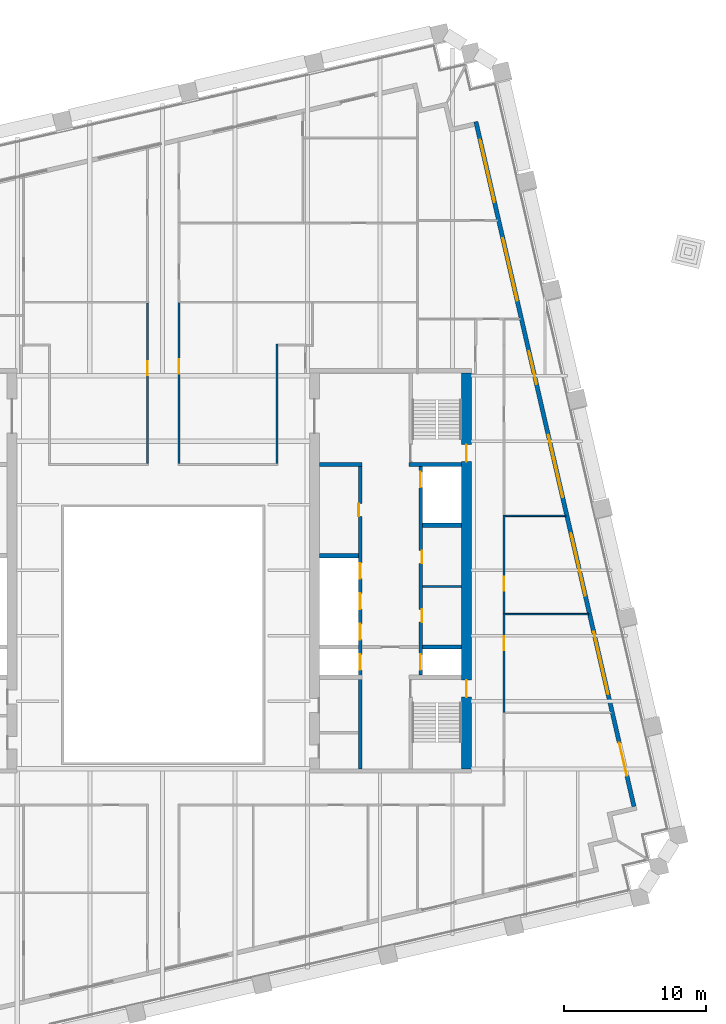
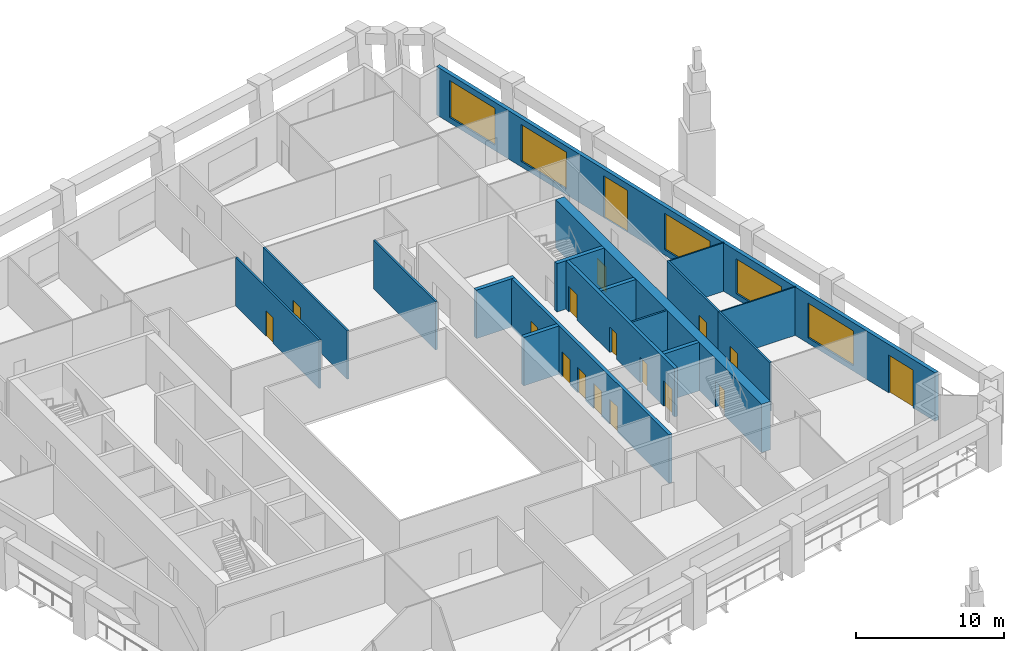
# One storey, part 7 of 10: 17 doors, 17 walls, 5 windows, 22 openings.
"""IFC4 building model written with IfcOpenShell, lengths in metres."""

from ifc_helpers import new_model, si_unit, direction, frame, frame_2d, origin, place, context, subcontext, project, spatial, rectangle, extrude, material, layer, layer_set, type_object, element, fill, save


model = new_model("IFC4")

# Units and contexts
model_context = context("Model", 3, precision=1e-05, world=origin(), true_north=direction((0.0, 1.0)))
body_context = subcontext(model_context, "Body", "Model", "MODEL_VIEW")
ifc_project = project(units=[si_unit("LENGTHUNIT", "METRE"), si_unit("AREAUNIT", "SQUARE_METRE"), si_unit("VOLUMEUNIT", "CUBIC_METRE"), si_unit("PLANEANGLEUNIT", "RADIAN"), si_unit("MASSUNIT", "GRAM", prefix="KILO")], contexts=[model_context])

# Site, building, storey
site_placement = place(None, origin())
site = spatial("IfcSite", under=ifc_project, at=site_placement, CompositionType="ELEMENT")
building_placement = place(site_placement, origin())
building = spatial("IfcBuilding", under=site, at=building_placement, Name="Ogive Exchange Tower", CompositionType="ELEMENT")
storey_placement = place(building_placement, frame((0.0, 0.0, 171.60009765625)))
storey = spatial("IfcBuildingStorey", under=building, at=storey_placement, Name="L37", CompositionType="ELEMENT", Elevation=171.60009765625)

# Walls
ifc_material_1 = material(Name="Gypsum board partition")
ifc_layer_1 = layer(ifc_material_1, 0.14990234375)
ifc_layer_set_1 = layer_set([ifc_layer_1], Name="Core room partition 150 gypsum")
wall_type_1 = type_object("IfcWallType", Name="Core room partition 150 gypsum", PredefinedType="PARTITIONING", material=ifc_layer_set_1)
wall_1_placement = place(storey_placement, frame((18.25, 10.39990234375, 0.0), z_axis=(0.0, 0.0, 1.0), x_axis=(1.0, 0.0, 0.0)))
element("IfcWall", 1, at=wall_1_placement, inside=storey, type_object=wall_type_1, Name="E row A bay partition 1-1", PredefinedType="PARTITIONING", context=body_context, shape_type="SweptSolid", body=[
    extrude(rectangle(XDim=2.75, YDim=0.14990234375, at=frame_2d((1.375, 0.0))), origin(), (0.0, 0.0, 1.0), 4.0),
])
ifc_layer_2 = layer(ifc_material_1, 0.300048828125)
ifc_layer_set_2 = layer_set([ifc_layer_2], Name="Core room partition 300 gypsum")
wall_type_2 = type_object("IfcWallType", Name="Core room partition 300 gypsum", PredefinedType="PARTITIONING", material=ifc_layer_set_2)
wall_2_placement = place(storey_placement, frame((11.0, 19.0, 0.0), z_axis=(0.0, 0.0, 1.0), x_axis=(1.0, 0.0, 0.0)))
element("IfcWall", 2, at=wall_2_placement, inside=storey, type_object=wall_type_2, Name="E row B room end wall 7", PredefinedType="PARTITIONING", context=body_context, shape_type="SweptSolid", body=[
    extrude(rectangle(XDim=3.0, YDim=0.300048828125, at=frame_2d((1.5, 0.0))), origin(), (0.0, 0.0, 1.0), 4.0),
])

# Wall, opening, door
ifc_material_2 = material(Name="Fire partition EI 60 150")
ifc_layer_3 = layer(ifc_material_2, 0.14990234375)
ifc_layer_set_3 = layer_set([ifc_layer_3], Name="Fire partition EI 60 150")
wall_type_3 = type_object("IfcWallType", Name="Fire partition EI 60 150", PredefinedType="PARTITIONING", material=ifc_layer_set_3)
wall_3_placement = place(storey_placement, frame((-1.10009765625, 19.074951171875, 0.0), z_axis=(0.0, 0.0, 1.0), x_axis=(0.0, 1.0, 0.0)))
wall_3 = element("IfcWall", 3, at=wall_3_placement, inside=storey, type_object=wall_type_3, Name="L37-PWL-034", PredefinedType="PARTITIONING", context=body_context, shape_type="SweptSolid", body=[
    extrude(rectangle(XDim=11.295166015625, YDim=0.14990234375, at=frame_2d((5.6474609375, 0.0))), origin(), (0.0, 0.0, 1.0), 4.0),
])
opening_1_placement = place(wall_3_placement, frame((6.195068359375, 0.0, 0.0)))
opening_1 = element("IfcOpeningElement", 4, at=opening_1_placement, cuts=wall_3, Name="Opening L37-I03", PredefinedType="OPENING", context=body_context, shape_type="SweptSolid", body=[
    extrude(rectangle(XDim=1.0, YDim=2.10009765625, at=frame_2d((0.5, 1.050048828125))), frame((0.0, 0.0849609375, 0.0), z_axis=(0.0, -1.0, 0.0), x_axis=(1.0, 0.0, 0.0)), (0.0, 0.0, 1.0), 0.169921875),
])
ifc_material_3 = material(Name="Fire door FD 30S 1000 x 2100")
door_type_1 = type_object("IfcDoorType", Name="Fire door FD 30S 1000 x 2100", OperationType="NOTDEFINED", PredefinedType="DOOR", material=ifc_material_3)
door_1_placement = place(opening_1_placement, origin())
door_1 = element("IfcDoor", 5, at=door_1_placement, inside=storey, type_object=door_type_1, Name="L37-IDR-003", ObjectType="DT3", OperationType="SINGLE_SWING_LEFT", OverallHeight=2.10009765625, OverallWidth=1.0, PredefinedType="DOOR", context=body_context, shape_type="SweptSolid", body=[
    extrude(rectangle(XDim=1.0, YDim=2.10009765625, at=frame_2d((0.5, 1.050048828125))), frame((0.0, 0.02490234375, 0.0), z_axis=(0.0, -1.0, 0.0), x_axis=(1.0, 0.0, 0.0)), (0.0, 0.0, 1.0), 0.050048828125),
])
fill(opening_1, door_1)

wall_4_placement = place(storey_placement, frame((1.10009765625, 30.469970703125, 0.0), z_axis=(0.0, 0.0, 1.0), x_axis=(0.0, -1.0, 0.0)))
wall_4 = element("IfcWall", 6, at=wall_4_placement, inside=storey, type_object=wall_type_3, Name="L37-PWL-038", PredefinedType="PARTITIONING", context=body_context, shape_type="SweptSolid", body=[
    extrude(rectangle(XDim=11.39501953125, YDim=0.14990234375, at=frame_2d((5.697509765625, 0.0))), origin(), (0.0, 0.0, 1.0), 4.0),
])
opening_2_placement = place(wall_4_placement, frame((4.070068359375, 0.0, 0.0)))
opening_2 = element("IfcOpeningElement", 7, at=opening_2_placement, cuts=wall_4, Name="Opening L37-I25", PredefinedType="OPENING", context=body_context, shape_type="SweptSolid", body=[
    extrude(rectangle(XDim=1.0, YDim=2.10009765625, at=frame_2d((0.5, 1.050048828125))), frame((0.0, 0.0849609375, 0.0), z_axis=(0.0, -1.0, 0.0), x_axis=(1.0, 0.0, 0.0)), (0.0, 0.0, 1.0), 0.169921875),
])
door_2_placement = place(opening_2_placement, origin())
door_2 = element("IfcDoor", 8, at=door_2_placement, inside=storey, type_object=door_type_1, Name="L37-IDR-025", ObjectType="DT3", OperationType="SINGLE_SWING_RIGHT", OverallHeight=2.10009765625, OverallWidth=1.0, PredefinedType="DOOR", context=body_context, shape_type="SweptSolid", body=[
    extrude(rectangle(XDim=1.0, YDim=2.10009765625, at=frame_2d((0.5, 1.050048828125))), frame((0.0, 0.02490234375, 0.0), z_axis=(0.0, -1.0, 0.0), x_axis=(1.0, 0.0, 0.0)), (0.0, 0.0, 1.0), 0.050048828125),
])
fill(opening_2, door_2)

# Wall
wall_5_placement = place(storey_placement, frame((8.0, 19.074951171875, 0.0), z_axis=(0.0, 0.0, 1.0), x_axis=(0.0, 1.0, 0.0)))
element("IfcWall", 9, at=wall_5_placement, inside=storey, type_object=wall_type_3, Name="L37-PWL-045", PredefinedType="PARTITIONING", context=body_context, shape_type="SweptSolid", body=[
    extrude(rectangle(XDim=8.400146484375, YDim=0.14990234375, at=frame_2d((4.2001953125, 0.0))), origin(), (0.0, 0.0, 1.0), 4.0),
])

# Wall, opening, door
wall_6_placement = place(storey_placement, frame((24.0, 8.5, 0.0), z_axis=(0.0, 0.0, 1.0), x_axis=(0.0, -1.0, 0.0)))
wall_6 = element("IfcWall", 10, at=wall_6_placement, inside=storey, type_object=wall_type_3, Name="L37-PWL-077", PredefinedType="PARTITIONING", context=body_context, shape_type="SweptSolid", body=[
    extrude(rectangle(XDim=6.989990234375, YDim=0.14990234375, at=frame_2d((3.4951171875, 0.0))), origin(), (0.0, 0.0, 1.0), 4.0),
])
opening_3_placement = place(wall_6_placement, frame((1.590087890625, 0.0, 0.0)))
opening_3 = element("IfcOpeningElement", 11, at=opening_3_placement, cuts=wall_6, Name="Opening L37-I20", PredefinedType="OPENING", context=body_context, shape_type="SweptSolid", body=[
    extrude(rectangle(XDim=1.0, YDim=2.10009765625, at=frame_2d((0.5, 1.050048828125))), frame((0.0, 0.0849609375, 0.0), z_axis=(0.0, -1.0, 0.0), x_axis=(1.0, 0.0, 0.0)), (0.0, 0.0, 1.0), 0.169921875),
])
door_3_placement = place(opening_3_placement, origin())
door_3 = element("IfcDoor", 12, at=door_3_placement, inside=storey, type_object=door_type_1, Name="L37-IDR-020", ObjectType="DT3", OperationType="SINGLE_SWING_RIGHT", OverallHeight=2.10009765625, OverallWidth=1.0, PredefinedType="DOOR", context=body_context, shape_type="SweptSolid", body=[
    extrude(rectangle(XDim=1.0, YDim=2.10009765625, at=frame_2d((0.5, 1.050048828125))), frame((0.0, 0.02490234375, 0.0), z_axis=(0.0, -1.0, 0.0), x_axis=(1.0, 0.0, 0.0)), (0.0, 0.0, 1.0), 0.050048828125),
])
fill(opening_3, door_3)

wall_7_placement = place(storey_placement, frame((24.0, 15.429931640625, 0.0), z_axis=(0.0, 0.0, 1.0), x_axis=(0.0, -1.0, 0.0)))
wall_7 = element("IfcWall", 13, at=wall_7_placement, inside=storey, type_object=wall_type_3, Name="L37-PWL-079", PredefinedType="PARTITIONING", context=body_context, shape_type="SweptSolid", body=[
    extrude(rectangle(XDim=6.929931640625, YDim=0.14990234375, at=frame_2d((3.46484375, 0.0))), origin(), (0.0, 0.0, 1.0), 4.0),
])
opening_4_placement = place(wall_7_placement, frame((4.330078125, 0.0, 0.0)))
opening_4 = element("IfcOpeningElement", 14, at=opening_4_placement, cuts=wall_7, Name="Opening L37-I21", PredefinedType="OPENING", context=body_context, shape_type="SweptSolid", body=[
    extrude(rectangle(XDim=1.0, YDim=2.10009765625, at=frame_2d((0.5, 1.050048828125))), frame((0.0, 0.0849609375, 0.0), z_axis=(0.0, -1.0, 0.0), x_axis=(1.0, 0.0, 0.0)), (0.0, 0.0, 1.0), 0.169921875),
])
door_4_placement = place(opening_4_placement, origin())
door_4 = element("IfcDoor", 15, at=door_4_placement, inside=storey, type_object=door_type_1, Name="L37-IDR-021", ObjectType="DT3", OperationType="SINGLE_SWING_LEFT", OverallHeight=2.10009765625, OverallWidth=1.0, PredefinedType="DOOR", context=body_context, shape_type="SweptSolid", body=[
    extrude(rectangle(XDim=1.0, YDim=2.10009765625, at=frame_2d((0.5, 1.050048828125))), frame((0.0, 0.02490234375, 0.0), z_axis=(0.0, -1.0, 0.0), x_axis=(1.0, 0.0, 0.0)), (0.0, 0.0, 1.0), 0.050048828125),
])
fill(opening_4, door_4)

# Wall, openings, doors, windows
ifc_material_4 = material(Name="Precast concrete C40/50", Category="concrete")
ifc_layer_4 = layer(ifc_material_4, 0.300048828125)
ifc_layer_set_4 = layer_set([ifc_layer_4], Name="Limestone-faced wall 300")
wall_type_4 = type_object("IfcWallType", Name="Limestone-faced wall 300", PredefinedType="STANDARD", material=ifc_layer_set_4)
wall_8_placement = place(storey_placement, frame((33.1572265625, -5.092041015625, 0.0), z_axis=(0.0, 0.0, 1.0), x_axis=(-0.224950279389, 0.974370243697, 0.0)))
wall_8 = element("IfcWall", 16, at=wall_8_placement, inside=storey, type_object=wall_type_4, Name="External wall E2", PredefinedType="STANDARD", context=body_context, shape_type="SweptSolid", body=[
    extrude(rectangle(XDim=49.499755859375, YDim=0.300048828125, at=frame_2d((24.75, 0.0))), origin(), (0.0, 0.0, 1.0), 4.0),
])
opening_5_placement = place(wall_8_placement, frame((2.20703125, 0.0, 0.0)))
opening_5 = element("IfcOpeningElement", 17, at=opening_5_placement, cuts=wall_8, Name="Opening D1J", PredefinedType="OPENING", context=body_context, shape_type="SweptSolid", body=[
    extrude(rectangle(XDim=2.39990234375, YDim=3.125, at=frame_2d((1.199951171875, 1.5625))), frame((0.0, 0.159912109375, 0.0), z_axis=(0.0, -1.0, 0.0), x_axis=(1.0, 0.0, 0.0)), (0.0, 0.0, 1.0), 0.320068359375),
])
opening_6_placement = place(wall_8_placement, frame((8.121337890625, 0.0, 0.449951171875)))
opening_6 = element("IfcOpeningElement", 18, at=opening_6_placement, cuts=wall_8, Name="Opening W1D", PredefinedType="OPENING", context=body_context, shape_type="SweptSolid", body=[
    extrude(rectangle(XDim=4.5, YDim=2.875, at=frame_2d((2.25, 1.4375))), frame((0.0, 0.159912109375, 0.0), z_axis=(0.0, -1.0, 0.0), x_axis=(1.0, 0.0, 0.0)), (0.0, 0.0, 1.0), 0.320068359375),
])
opening_7_placement = place(wall_8_placement, frame((15.235595703125, 0.0, 0.449951171875)))
opening_7 = element("IfcOpeningElement", 19, at=opening_7_placement, cuts=wall_8, Name="Opening W1D", PredefinedType="OPENING", context=body_context, shape_type="SweptSolid", body=[
    extrude(rectangle(XDim=4.5, YDim=2.875, at=frame_2d((2.25, 1.4375))), frame((0.0, 0.159912109375, 0.0), z_axis=(0.0, -1.0, 0.0), x_axis=(1.0, 0.0, 0.0)), (0.0, 0.0, 1.0), 0.320068359375),
])
opening_8_placement = place(wall_8_placement, frame((22.35009765625, 0.0, 0.449951171875)))
opening_8 = element("IfcOpeningElement", 20, at=opening_8_placement, cuts=wall_8, Name="Opening W1A", PredefinedType="OPENING", context=body_context, shape_type="SweptSolid", body=[
    extrude(rectangle(XDim=4.5, YDim=3.0, at=frame_2d((2.25, 1.5))), frame((0.0, 0.159912109375, 0.0), z_axis=(0.0, -1.0, 0.0), x_axis=(1.0, 0.0, 0.0)), (0.0, 0.0, 1.0), 0.320068359375),
])
opening_9_placement = place(wall_8_placement, frame((30.51416015625, 0.0, 0.0)))
opening_9 = element("IfcOpeningElement", 21, at=opening_9_placement, cuts=wall_8, Name="Opening D1A", PredefinedType="OPENING", context=body_context, shape_type="SweptSolid", body=[
    extrude(rectangle(XDim=2.39990234375, YDim=3.449951171875, at=frame_2d((1.199951171875, 1.72509765625))), frame((0.0, 0.159912109375, 0.0), z_axis=(0.0, -1.0, 0.0), x_axis=(1.0, 0.0, 0.0)), (0.0, 0.0, 1.0), 0.320068359375),
])
opening_10_placement = place(wall_8_placement, frame((36.57861328125, 0.0, 0.449951171875)))
opening_10 = element("IfcOpeningElement", 22, at=opening_10_placement, cuts=wall_8, Name="Opening W1", PredefinedType="OPENING", context=body_context, shape_type="SweptSolid", body=[
    extrude(rectangle(XDim=4.5, YDim=3.050048828125, at=frame_2d((2.25, 1.52490234375))), frame((0.0, 0.159912109375, 0.0), z_axis=(0.0, -1.0, 0.0), x_axis=(1.0, 0.0, 0.0)), (0.0, 0.0, 1.0), 0.320068359375),
])
opening_11_placement = place(wall_8_placement, frame((43.69287109375, 0.0, 0.449951171875)))
opening_11 = element("IfcOpeningElement", 23, at=opening_11_placement, cuts=wall_8, Name="Opening W1", PredefinedType="OPENING", context=body_context, shape_type="SweptSolid", body=[
    extrude(rectangle(XDim=4.5, YDim=3.050048828125, at=frame_2d((2.25, 1.52490234375))), frame((0.0, 0.159912109375, 0.0), z_axis=(0.0, -1.0, 0.0), x_axis=(1.0, 0.0, 0.0)), (0.0, 0.0, 1.0), 0.320068359375),
])
ifc_material_5 = material(Name="Clear glass in bronze frame", Category="glass")
door_type_2 = type_object("IfcDoorType", Name="Sliding loggia door 2400 x 3125", OperationType="DOUBLE_DOOR_SLIDING", PredefinedType="DOOR", material=ifc_material_5)
door_5_placement = place(opening_5_placement, origin())
door_5 = element("IfcDoor", 24, at=door_5_placement, inside=storey, type_object=door_type_2, Name="Loggia door E00", OperationType="DOUBLE_DOOR_SLIDING", OverallHeight=3.125, OverallWidth=2.39990234375, PredefinedType="DOOR", context=body_context, shape_type="SweptSolid", body=[
    extrude(rectangle(XDim=2.39990234375, YDim=3.125, at=frame_2d((1.199951171875, 1.5625))), frame((0.0, 0.02490234375, 0.0), z_axis=(0.0, -1.0, 0.0), x_axis=(1.0, 0.0, 0.0)), (0.0, 0.0, 1.0), 0.050048828125),
])
fill(opening_5, door_5)
door_type_3 = type_object("IfcDoorType", Name="Sliding loggia door 2400 x 3450", OperationType="DOUBLE_DOOR_SLIDING", PredefinedType="DOOR", material=ifc_material_5)
door_6_placement = place(opening_9_placement, origin())
door_6 = element("IfcDoor", 25, at=door_6_placement, inside=storey, type_object=door_type_3, Name="Loggia door E04", OperationType="DOUBLE_DOOR_SLIDING", OverallHeight=3.449951171875, OverallWidth=2.39990234375, PredefinedType="DOOR", context=body_context, shape_type="SweptSolid", body=[
    extrude(rectangle(XDim=2.39990234375, YDim=3.449951171875, at=frame_2d((1.199951171875, 1.72509765625))), frame((0.0, 0.02490234375, 0.0), z_axis=(0.0, -1.0, 0.0), x_axis=(1.0, 0.0, 0.0)), (0.0, 0.0, 1.0), 0.050048828125),
])
fill(opening_9, door_6)
window_type_1 = type_object("IfcWindowType", Name="Twin lancet window 4500 x 2875", PartitioningType="DOUBLE_PANEL_VERTICAL", PredefinedType="WINDOW", material=ifc_material_5)
window_1_placement = place(opening_6_placement, origin())
window_1 = element("IfcWindow", 26, at=window_1_placement, inside=storey, type_object=window_type_1, Name="Window E01", OverallHeight=2.875, OverallWidth=4.5, PartitioningType="DOUBLE_PANEL_VERTICAL", PredefinedType="WINDOW", context=body_context, shape_type="SweptSolid", body=[
    extrude(rectangle(XDim=4.5, YDim=2.875, at=frame_2d((2.25, 1.4375))), frame((0.0, 0.030029296875, 0.0), z_axis=(0.0, -1.0, 0.0), x_axis=(1.0, 0.0, 0.0)), (0.0, 0.0, 1.0), 0.06005859375),
])
fill(opening_6, window_1)
window_2_placement = place(opening_7_placement, origin())
window_2 = element("IfcWindow", 27, at=window_2_placement, inside=storey, type_object=window_type_1, Name="Window E02", OverallHeight=2.875, OverallWidth=4.5, PartitioningType="DOUBLE_PANEL_VERTICAL", PredefinedType="WINDOW", context=body_context, shape_type="SweptSolid", body=[
    extrude(rectangle(XDim=4.5, YDim=2.875, at=frame_2d((2.25, 1.4375))), frame((0.0, 0.030029296875, 0.0), z_axis=(0.0, -1.0, 0.0), x_axis=(1.0, 0.0, 0.0)), (0.0, 0.0, 1.0), 0.06005859375),
])
fill(opening_7, window_2)
window_type_2 = type_object("IfcWindowType", Name="Twin lancet window 4500 x 3000", PartitioningType="DOUBLE_PANEL_VERTICAL", PredefinedType="WINDOW", material=ifc_material_5)
window_3_placement = place(opening_8_placement, origin())
window_3 = element("IfcWindow", 28, at=window_3_placement, inside=storey, type_object=window_type_2, Name="Window E03", OverallHeight=3.0, OverallWidth=4.5, PartitioningType="DOUBLE_PANEL_VERTICAL", PredefinedType="WINDOW", context=body_context, shape_type="SweptSolid", body=[
    extrude(rectangle(XDim=4.5, YDim=3.0, at=frame_2d((2.25, 1.5))), frame((0.0, 0.030029296875, 0.0), z_axis=(0.0, -1.0, 0.0), x_axis=(1.0, 0.0, 0.0)), (0.0, 0.0, 1.0), 0.06005859375),
])
fill(opening_8, window_3)
window_type_3 = type_object("IfcWindowType", Name="Twin lancet window 4500 x 3050", PartitioningType="DOUBLE_PANEL_VERTICAL", PredefinedType="WINDOW", material=ifc_material_5)
window_4_placement = place(opening_10_placement, origin())
window_4 = element("IfcWindow", 29, at=window_4_placement, inside=storey, type_object=window_type_3, Name="Window E05", OverallHeight=3.050048828125, OverallWidth=4.5, PartitioningType="DOUBLE_PANEL_VERTICAL", PredefinedType="WINDOW", context=body_context, shape_type="SweptSolid", body=[
    extrude(rectangle(XDim=4.5, YDim=3.050048828125, at=frame_2d((2.25, 1.52490234375))), frame((0.0, 0.030029296875, 0.0), z_axis=(0.0, -1.0, 0.0), x_axis=(1.0, 0.0, 0.0)), (0.0, 0.0, 1.0), 0.06005859375),
])
fill(opening_10, window_4)
window_5_placement = place(opening_11_placement, origin())
window_5 = element("IfcWindow", 30, at=window_5_placement, inside=storey, type_object=window_type_3, Name="Window E06", OverallHeight=3.050048828125, OverallWidth=4.5, PartitioningType="DOUBLE_PANEL_VERTICAL", PredefinedType="WINDOW", context=body_context, shape_type="SweptSolid", body=[
    extrude(rectangle(XDim=4.5, YDim=3.050048828125, at=frame_2d((2.25, 1.52490234375))), frame((0.0, 0.030029296875, 0.0), z_axis=(0.0, -1.0, 0.0), x_axis=(1.0, 0.0, 0.0)), (0.0, 0.0, 1.0), 0.06005859375),
])
fill(opening_11, window_5)

# Walls
ifc_material_6 = material(Name="Partition 100 gypsum")
ifc_layer_5 = layer(ifc_material_6, 0.10009765625)
ifc_layer_set_5 = layer_set([ifc_layer_5], Name="Partition 100 gypsum")
wall_type_5 = type_object("IfcWallType", Name="Partition 100 gypsum", PredefinedType="PARTITIONING", material=ifc_layer_set_5)
wall_9_placement = place(storey_placement, frame((24.074951171875, 8.449951171875, 0.0), z_axis=(0.0, 0.0, 1.0), x_axis=(1.0, 0.0, 0.0)))
element("IfcWall", 31, at=wall_9_placement, inside=storey, type_object=wall_type_5, Name="L37-PWL-078", PredefinedType="PARTITIONING", context=body_context, shape_type="SweptSolid", body=[
    extrude(rectangle(XDim=5.884033203125, YDim=0.10009765625, at=frame_2d((2.94189453125, 0.0))), origin(), (0.0, 0.0, 1.0), 4.0),
])
wall_10_placement = place(storey_placement, frame((24.074951171875, 15.3798828125, 0.0), z_axis=(0.0, 0.0, 1.0), x_axis=(1.0, 0.0, 0.0)))
element("IfcWall", 32, at=wall_10_placement, inside=storey, type_object=wall_type_5, Name="L37-PWL-080", PredefinedType="PARTITIONING", context=body_context, shape_type="SweptSolid", body=[
    extrude(rectangle(XDim=4.28515625, YDim=0.10009765625, at=frame_2d((2.142578125, 0.0))), origin(), (0.0, 0.0, 1.0), 4.0),
])

# Wall, openings, doors
ifc_material_7 = material(Name="Concrete C70/85", Category="concrete")
ifc_layer_6 = layer(ifc_material_7, 0.25)
ifc_layer_set_6 = layer_set([ifc_layer_6], Name="RC core wall 250 C70/85")
wall_type_6 = type_object("IfcWallType", Name="RC core wall 250 C70/85", PredefinedType="SHEAR", material=ifc_layer_set_6)
wall_11_placement = place(storey_placement, frame((18.125, 4.14990234375, 0.0), z_axis=(0.0, 0.0, 1.0), x_axis=(0.0, 1.0, 0.0)))
wall_11 = element("IfcWall", 33, at=wall_11_placement, inside=storey, type_object=wall_type_6, Name="E row A front wall", PredefinedType="SHEAR", context=body_context, shape_type="SweptSolid", body=[
    extrude(rectangle(XDim=14.7001953125, YDim=0.25, at=frame_2d((7.35009765625, 0.0))), origin(), (0.0, 0.0, 1.0), 4.0),
])
opening_12_placement = place(wall_11_placement, frame((3.746337890625, 0.0, 0.0)))
opening_12 = element("IfcOpeningElement", 34, at=opening_12_placement, cuts=wall_11, Name="Opening L37-C19", PredefinedType="OPENING", context=body_context, shape_type="SweptSolid", body=[
    extrude(rectangle(XDim=0.89990234375, YDim=2.10009765625, at=frame_2d((0.449951171875, 1.050048828125))), frame((0.0, 0.135009765625, 0.0), z_axis=(0.0, -1.0, 0.0), x_axis=(1.0, 0.0, 0.0)), (0.0, 0.0, 1.0), 0.27001953125),
])
opening_13_placement = place(wall_11_placement, frame((7.882080078125, 0.0, 0.0)))
opening_13 = element("IfcOpeningElement", 35, at=opening_13_placement, cuts=wall_11, Name="Opening L37-C20", PredefinedType="OPENING", context=body_context, shape_type="SweptSolid", body=[
    extrude(rectangle(XDim=0.89990234375, YDim=2.10009765625, at=frame_2d((0.449951171875, 1.050048828125))), frame((0.0, 0.135009765625, 0.0), z_axis=(0.0, -1.0, 0.0), x_axis=(1.0, 0.0, 0.0)), (0.0, 0.0, 1.0), 0.27001953125),
])
opening_14_placement = place(wall_11_placement, frame((0.371337890625, 0.0, 0.0)))
opening_14 = element("IfcOpeningElement", 36, at=opening_14_placement, cuts=wall_11, Name="Opening L37-C21", PredefinedType="OPENING", context=body_context, shape_type="SweptSolid", body=[
    extrude(rectangle(XDim=1.10009765625, YDim=2.10009765625, at=frame_2d((0.550048828125, 1.050048828125))), frame((0.0, 0.135009765625, 0.0), z_axis=(0.0, -1.0, 0.0), x_axis=(1.0, 0.0, 0.0)), (0.0, 0.0, 1.0), 0.27001953125),
])
opening_15_placement = place(wall_11_placement, frame((13.228515625, 0.0, 0.0)))
opening_15 = element("IfcOpeningElement", 37, at=opening_15_placement, cuts=wall_11, Name="Opening L37-C22", PredefinedType="OPENING", context=body_context, shape_type="SweptSolid", body=[
    extrude(rectangle(XDim=1.10009765625, YDim=2.10009765625, at=frame_2d((0.550048828125, 1.050048828125))), frame((0.0, 0.135009765625, 0.0), z_axis=(0.0, -1.0, 0.0), x_axis=(1.0, 0.0, 0.0)), (0.0, 0.0, 1.0), 0.27001953125),
])
ifc_material_8 = material(Name="Stainless steel", Category="steel")
door_type_4 = type_object("IfcDoorType", Name="Lift landing door FD90 1100 x 2100", OperationType="SLIDING_TO_LEFT", PredefinedType="DOOR", material=ifc_material_8)
door_7_placement = place(opening_14_placement, origin())
door_7 = element("IfcDoor", 38, at=door_7_placement, inside=storey, type_object=door_type_4, Name="Lift landing door FF2", ObjectType="LD", OperationType="SLIDING_TO_LEFT", OverallHeight=2.10009765625, OverallWidth=1.10009765625, PredefinedType="DOOR", context=body_context, shape_type="SweptSolid", body=[
    extrude(rectangle(XDim=1.10009765625, YDim=2.10009765625, at=frame_2d((0.550048828125, 1.050048828125))), frame((0.0, 0.02490234375, 0.0), z_axis=(0.0, -1.0, 0.0), x_axis=(1.0, 0.0, 0.0)), (0.0, 0.0, 1.0), 0.050048828125),
])
fill(opening_14, door_7)
door_8_placement = place(opening_15_placement, origin())
door_8 = element("IfcDoor", 39, at=door_8_placement, inside=storey, type_object=door_type_4, Name="Lift landing door E-SH2", ObjectType="LD", OperationType="SLIDING_TO_LEFT", OverallHeight=2.10009765625, OverallWidth=1.10009765625, PredefinedType="DOOR", context=body_context, shape_type="SweptSolid", body=[
    extrude(rectangle(XDim=1.10009765625, YDim=2.10009765625, at=frame_2d((0.550048828125, 1.050048828125))), frame((0.0, 0.02490234375, 0.0), z_axis=(0.0, -1.0, 0.0), x_axis=(1.0, 0.0, 0.0)), (0.0, 0.0, 1.0), 0.050048828125),
])
fill(opening_15, door_8)
ifc_material_9 = material(Name="Steel fire door", Category="steel")
door_type_5 = type_object("IfcDoorType", Name="Riser door FD60 900 x 2100", OperationType="NOTDEFINED", PredefinedType="DOOR", material=ifc_material_9)
door_9_placement = place(opening_12_placement, frame((0.89990234375, -0.2001953125, 0.0), z_axis=(0.0, 0.0, 1.0), x_axis=(-1.0, 0.0, 0.0)))
door_9 = element("IfcDoor", 40, at=door_9_placement, inside=storey, type_object=door_type_5, Name="Riser door", ObjectType="CD2", OperationType="SINGLE_SWING_LEFT", OverallHeight=2.10009765625, OverallWidth=0.89990234375, PredefinedType="DOOR", context=body_context, shape_type="SweptSolid", body=[
    extrude(rectangle(XDim=0.89990234375, YDim=2.10009765625, at=frame_2d((0.449951171875, 1.050048828125))), frame((0.0, -0.0751953125, 0.0), z_axis=(0.0, -1.0, 0.0), x_axis=(1.0, 0.0, 0.0)), (0.0, 0.0, 1.0), 0.050048828125),
])
fill(opening_12, door_9)
door_10_placement = place(opening_13_placement, frame((0.89990234375, -0.2001953125, 0.0), z_axis=(0.0, 0.0, 1.0), x_axis=(-1.0, 0.0, 0.0)))
door_10 = element("IfcDoor", 41, at=door_10_placement, inside=storey, type_object=door_type_5, Name="Riser door", ObjectType="CD2", OperationType="SINGLE_SWING_RIGHT", OverallHeight=2.10009765625, OverallWidth=0.89990234375, PredefinedType="DOOR", context=body_context, shape_type="SweptSolid", body=[
    extrude(rectangle(XDim=0.89990234375, YDim=2.10009765625, at=frame_2d((0.449951171875, 1.050048828125))), frame((0.0, -0.0751953125, 0.0), z_axis=(0.0, -1.0, 0.0), x_axis=(1.0, 0.0, 0.0)), (0.0, 0.0, 1.0), 0.050048828125),
])
fill(opening_13, door_10)

wall_12_placement = place(storey_placement, frame((13.875, -2.449951171875, 0.0), z_axis=(0.0, 0.0, 1.0), x_axis=(0.0, 1.0, 0.0)))
wall_12 = element("IfcWall", 42, at=wall_12_placement, inside=storey, type_object=wall_type_6, Name="E row B front wall", PredefinedType="SHEAR", context=body_context, shape_type="SweptSolid", body=[
    extrude(rectangle(XDim=21.300048828125, YDim=0.25, at=frame_2d((10.64990234375, 0.0))), origin(), (0.0, 0.0, 1.0), 4.0),
])
opening_16_placement = place(wall_12_placement, frame((17.78564453125, 0.0, 0.0)))
opening_16 = element("IfcOpeningElement", 43, at=opening_16_placement, cuts=wall_12, Name="Opening L37-C23", PredefinedType="OPENING", context=body_context, shape_type="SweptSolid", body=[
    extrude(rectangle(XDim=0.89990234375, YDim=2.10009765625, at=frame_2d((0.449951171875, 1.050048828125))), frame((0.0, 0.135009765625, 0.0), z_axis=(0.0, -1.0, 0.0), x_axis=(1.0, 0.0, 0.0)), (0.0, 0.0, 1.0), 0.27001953125),
])
opening_17_placement = place(wall_12_placement, frame((6.971435546875, 0.0, 0.0)))
opening_17 = element("IfcOpeningElement", 44, at=opening_17_placement, cuts=wall_12, Name="Opening L37-C24", PredefinedType="OPENING", context=body_context, shape_type="SweptSolid", body=[
    extrude(rectangle(XDim=1.10009765625, YDim=2.10009765625, at=frame_2d((0.550048828125, 1.050048828125))), frame((0.0, 0.135009765625, 0.0), z_axis=(0.0, -1.0, 0.0), x_axis=(1.0, 0.0, 0.0)), (0.0, 0.0, 1.0), 0.27001953125),
])
opening_18_placement = place(wall_12_placement, frame((9.1142578125, 0.0, 0.0)))
opening_18 = element("IfcOpeningElement", 45, at=opening_18_placement, cuts=wall_12, Name="Opening L37-C25", PredefinedType="OPENING", context=body_context, shape_type="SweptSolid", body=[
    extrude(rectangle(XDim=1.10009765625, YDim=2.10009765625, at=frame_2d((0.550048828125, 1.050048828125))), frame((0.0, 0.135009765625, 0.0), z_axis=(0.0, -1.0, 0.0), x_axis=(1.0, 0.0, 0.0)), (0.0, 0.0, 1.0), 0.27001953125),
])
opening_19_placement = place(wall_12_placement, frame((11.257080078125, 0.0, 0.0)))
opening_19 = element("IfcOpeningElement", 46, at=opening_19_placement, cuts=wall_12, Name="Opening L37-C26", PredefinedType="OPENING", context=body_context, shape_type="SweptSolid", body=[
    extrude(rectangle(XDim=1.10009765625, YDim=2.10009765625, at=frame_2d((0.550048828125, 1.050048828125))), frame((0.0, 0.135009765625, 0.0), z_axis=(0.0, -1.0, 0.0), x_axis=(1.0, 0.0, 0.0)), (0.0, 0.0, 1.0), 0.27001953125),
])
opening_20_placement = place(wall_12_placement, frame((13.39990234375, 0.0, 0.0)))
opening_20 = element("IfcOpeningElement", 47, at=opening_20_placement, cuts=wall_12, Name="Opening L37-C27", PredefinedType="OPENING", context=body_context, shape_type="SweptSolid", body=[
    extrude(rectangle(XDim=1.10009765625, YDim=2.10009765625, at=frame_2d((0.550048828125, 1.050048828125))), frame((0.0, 0.135009765625, 0.0), z_axis=(0.0, -1.0, 0.0), x_axis=(1.0, 0.0, 0.0)), (0.0, 0.0, 1.0), 0.27001953125),
])
door_11_placement = place(opening_17_placement, origin())
door_11 = element("IfcDoor", 48, at=door_11_placement, inside=storey, type_object=door_type_4, Name="Lift landing door SV2", ObjectType="LD", OperationType="SLIDING_TO_LEFT", OverallHeight=2.10009765625, OverallWidth=1.10009765625, PredefinedType="DOOR", context=body_context, shape_type="SweptSolid", body=[
    extrude(rectangle(XDim=1.10009765625, YDim=2.10009765625, at=frame_2d((0.550048828125, 1.050048828125))), frame((0.0, 0.02490234375, 0.0), z_axis=(0.0, -1.0, 0.0), x_axis=(1.0, 0.0, 0.0)), (0.0, 0.0, 1.0), 0.050048828125),
])
fill(opening_17, door_11)
door_12_placement = place(opening_18_placement, origin())
door_12 = element("IfcDoor", 49, at=door_12_placement, inside=storey, type_object=door_type_4, Name="Lift landing door E-M1", ObjectType="LD", OperationType="SLIDING_TO_LEFT", OverallHeight=2.10009765625, OverallWidth=1.10009765625, PredefinedType="DOOR", context=body_context, shape_type="SweptSolid", body=[
    extrude(rectangle(XDim=1.10009765625, YDim=2.10009765625, at=frame_2d((0.550048828125, 1.050048828125))), frame((0.0, 0.02490234375, 0.0), z_axis=(0.0, -1.0, 0.0), x_axis=(1.0, 0.0, 0.0)), (0.0, 0.0, 1.0), 0.050048828125),
])
fill(opening_18, door_12)
door_13_placement = place(opening_19_placement, origin())
door_13 = element("IfcDoor", 50, at=door_13_placement, inside=storey, type_object=door_type_4, Name="Lift landing door E-M2", ObjectType="LD", OperationType="SLIDING_TO_LEFT", OverallHeight=2.10009765625, OverallWidth=1.10009765625, PredefinedType="DOOR", context=body_context, shape_type="SweptSolid", body=[
    extrude(rectangle(XDim=1.10009765625, YDim=2.10009765625, at=frame_2d((0.550048828125, 1.050048828125))), frame((0.0, 0.02490234375, 0.0), z_axis=(0.0, -1.0, 0.0), x_axis=(1.0, 0.0, 0.0)), (0.0, 0.0, 1.0), 0.050048828125),
])
fill(opening_19, door_13)
door_14_placement = place(opening_20_placement, origin())
door_14 = element("IfcDoor", 51, at=door_14_placement, inside=storey, type_object=door_type_4, Name="Lift landing door E-M3", ObjectType="LD", OperationType="SLIDING_TO_LEFT", OverallHeight=2.10009765625, OverallWidth=1.10009765625, PredefinedType="DOOR", context=body_context, shape_type="SweptSolid", body=[
    extrude(rectangle(XDim=1.10009765625, YDim=2.10009765625, at=frame_2d((0.550048828125, 1.050048828125))), frame((0.0, 0.02490234375, 0.0), z_axis=(0.0, -1.0, 0.0), x_axis=(1.0, 0.0, 0.0)), (0.0, 0.0, 1.0), 0.050048828125),
])
fill(opening_20, door_14)
door_15_placement = place(opening_16_placement, origin())
door_15 = element("IfcDoor", 52, at=door_15_placement, inside=storey, type_object=door_type_5, Name="Riser door", ObjectType="CD2", OperationType="SINGLE_SWING_LEFT", OverallHeight=2.10009765625, OverallWidth=0.89990234375, PredefinedType="DOOR", context=body_context, shape_type="SweptSolid", body=[
    extrude(rectangle(XDim=0.89990234375, YDim=2.10009765625, at=frame_2d((0.449951171875, 1.050048828125))), frame((0.0, 0.125, 0.0), z_axis=(0.0, -1.0, 0.0), x_axis=(1.0, 0.0, 0.0)), (0.0, 0.0, 1.0), 0.050048828125),
])
fill(opening_16, door_15)

# Walls
ifc_layer_7 = layer(ifc_material_7, 0.300048828125)
ifc_layer_set_7 = layer_set([ifc_layer_7], Name="RC core wall 300 C70/85")
wall_type_7 = type_object("IfcWallType", Name="RC core wall 300 C70/85", PredefinedType="SHEAR", material=ifc_layer_set_7)
wall_13_placement = place(storey_placement, frame((17.300048828125, 19.0, 0.0), z_axis=(0.0, 0.0, 1.0), x_axis=(1.0, 0.0, 0.0)))
element("IfcWall", 53, at=wall_13_placement, inside=storey, type_object=wall_type_7, Name="E stair N south wall", PredefinedType="SHEAR", context=body_context, shape_type="SweptSolid", body=[
    extrude(rectangle(XDim=3.699951171875, YDim=0.300048828125, at=frame_2d((1.85009765625, 0.0))), origin(), (0.0, 0.0, 1.0), 4.0),
])
for number, where, z_axis, x_axis, name in (
    (54, (18.25, 6.142822265625, 0.0), (0.0, 0.0, 1.0), (1.0, 0.0, 0.0), "E row A divider 1"),
    (55, (18.25, 14.71435546875, 0.0), (0.0, 0.0, 1.0), (1.0, 0.0, 0.0), "E row A divider 5"),
    (56, (11.0, 12.5712890625, 0.0), (0.0, 0.0, 1.0), (1.0, 0.0, 0.0), "E row B divider 4"),
):
    element("IfcWall", number, at=place(storey_placement, frame(where, z_axis=z_axis, x_axis=x_axis)), inside=storey, type_object=wall_type_7, Name=name, PredefinedType="SHEAR", context=body_context, shape_type="SweptSolid", body=[
        extrude(rectangle(XDim=2.75, YDim=0.300048828125, at=frame_2d((1.375, 0.0))), origin(), (0.0, 0.0, 1.0), 4.0),
    ])

# Wall, openings, doors
ifc_layer_8 = layer(ifc_material_7, 0.699951171875)
ifc_layer_set_8 = layer_set([ifc_layer_8], Name="RC core wall 700 C70/85")
wall_type_8 = type_object("IfcWallType", Name="RC core wall 700 C70/85", PredefinedType="SHEAR", material=ifc_layer_set_8)
wall_14_placement = place(storey_placement, frame((21.35009765625, -2.449951171875, 0.0), z_axis=(0.0, 0.0, 1.0), x_axis=(0.0, 1.0, 0.0)))
wall_14 = element("IfcWall", 57, at=wall_14_placement, inside=storey, type_object=wall_type_8, Name="E outer wall", PredefinedType="SHEAR", context=body_context, shape_type="SweptSolid", body=[
    extrude(rectangle(XDim=27.89990234375, YDim=0.699951171875, at=frame_2d((13.949951171875, 0.0))), origin(), (0.0, 0.0, 1.0), 4.0),
])
opening_21_placement = place(wall_14_placement, frame((5.050048828125, 0.0, 0.0)))
opening_21 = element("IfcOpeningElement", 58, at=opening_21_placement, cuts=wall_14, Name="Opening L37-C31", PredefinedType="OPENING", context=body_context, shape_type="SweptSolid", body=[
    extrude(rectangle(XDim=1.199951171875, YDim=2.10009765625, at=frame_2d((0.60009765625, 1.050048828125))), frame((0.0, 0.35986328125, 0.0), z_axis=(0.0, -1.0, 0.0), x_axis=(1.0, 0.0, 0.0)), (0.0, 0.0, 1.0), 0.719970703125),
])
opening_22_placement = place(wall_14_placement, frame((21.64990234375, 0.0, 0.0)))
opening_22 = element("IfcOpeningElement", 59, at=opening_22_placement, cuts=wall_14, Name="Opening L37-C33", PredefinedType="OPENING", context=body_context, shape_type="SweptSolid", body=[
    extrude(rectangle(XDim=1.199951171875, YDim=2.10009765625, at=frame_2d((0.60009765625, 1.050048828125))), frame((0.0, 0.35986328125, 0.0), z_axis=(0.0, -1.0, 0.0), x_axis=(1.0, 0.0, 0.0)), (0.0, 0.0, 1.0), 0.719970703125),
])
door_type_6 = type_object("IfcDoorType", Name="Stair door FD90 1200 x 2100", OperationType="NOTDEFINED", PredefinedType="DOOR", material=ifc_material_9)
door_16_placement = place(opening_21_placement, origin())
door_16 = element("IfcDoor", 60, at=door_16_placement, inside=storey, type_object=door_type_6, Name="Stair door", ObjectType="CD5", OperationType="SINGLE_SWING_LEFT", OverallHeight=2.10009765625, OverallWidth=1.199951171875, PredefinedType="DOOR", context=body_context, shape_type="SweptSolid", body=[
    extrude(rectangle(XDim=1.199951171875, YDim=2.10009765625, at=frame_2d((0.60009765625, 1.050048828125))), frame((0.0, 0.02490234375, 0.0), z_axis=(0.0, -1.0, 0.0), x_axis=(1.0, 0.0, 0.0)), (0.0, 0.0, 1.0), 0.050048828125),
])
fill(opening_21, door_16)
door_17_placement = place(opening_22_placement, origin())
door_17 = element("IfcDoor", 61, at=door_17_placement, inside=storey, type_object=door_type_6, Name="Stair door", ObjectType="CD5", OperationType="SINGLE_SWING_RIGHT", OverallHeight=2.10009765625, OverallWidth=1.199951171875, PredefinedType="DOOR", context=body_context, shape_type="SweptSolid", body=[
    extrude(rectangle(XDim=1.199951171875, YDim=2.10009765625, at=frame_2d((0.60009765625, 1.050048828125))), frame((0.0, 0.02490234375, 0.0), z_axis=(0.0, -1.0, 0.0), x_axis=(1.0, 0.0, 0.0)), (0.0, 0.0, 1.0), 0.050048828125),
])
fill(opening_22, door_17)

save(model, "model.ifc")
